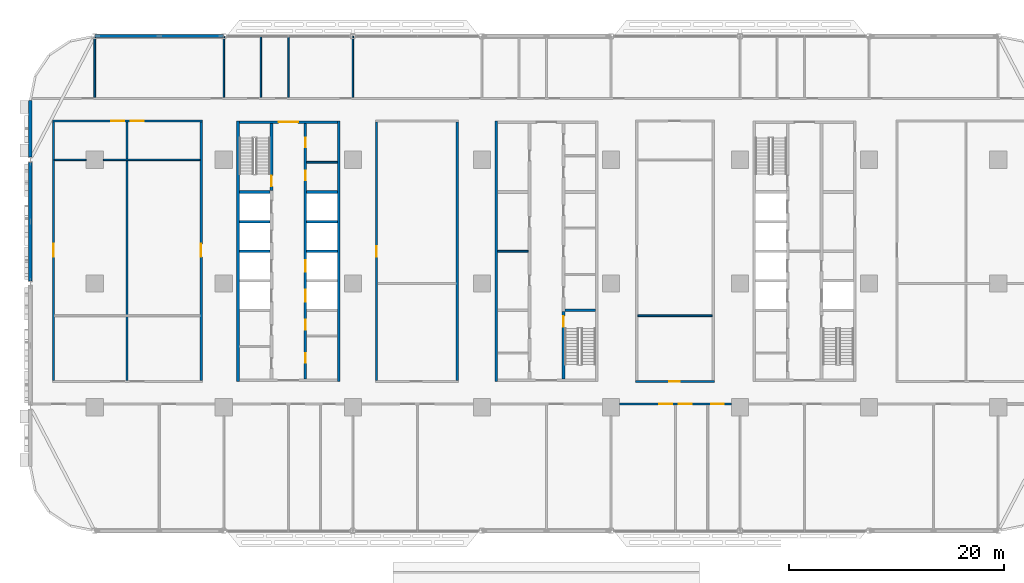
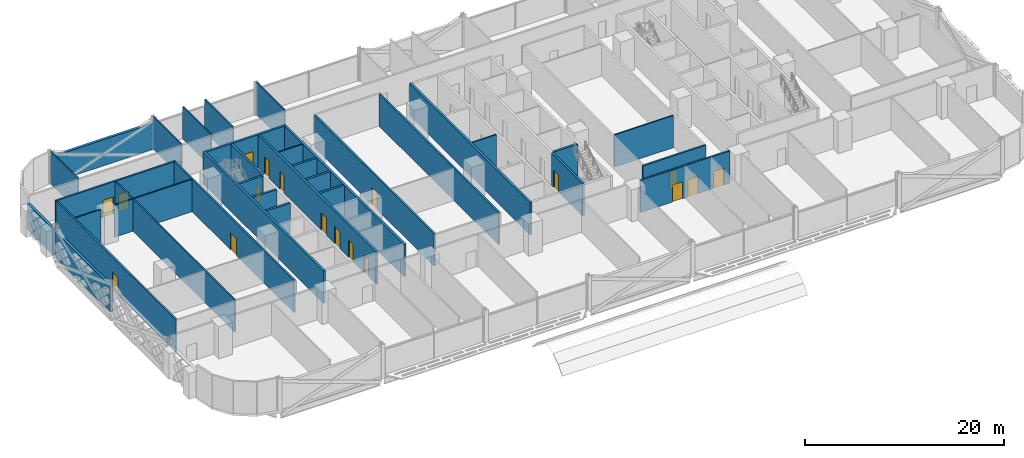
# One storey, part 10 of 26: 35 walls, 18 doors, 18 openings.
"""IFC4 building model written with IfcOpenShell, lengths in metres."""

from ifc_helpers import new_model, si_unit, direction, frame, frame_2d, origin, place, context, subcontext, project, spatial, rectangle, extrude, material, layer, layer_set, type_object, element, fill, save


model = new_model("IFC4")

# Units and contexts
model_context = context("Model", 3, precision=1e-05, world=origin(), true_north=direction((0.0, 1.0)))
body_context = subcontext(model_context, "Body", "Model", "MODEL_VIEW")
ifc_project = project(units=[si_unit("LENGTHUNIT", "METRE"), si_unit("AREAUNIT", "SQUARE_METRE"), si_unit("VOLUMEUNIT", "CUBIC_METRE"), si_unit("PLANEANGLEUNIT", "RADIAN"), si_unit("MASSUNIT", "GRAM", prefix="KILO")], contexts=[model_context])

# Site, building, storey
site_placement = place(None, origin())
site = spatial("IfcSite", under=ifc_project, at=site_placement, CompositionType="ELEMENT")
building_placement = place(site_placement, origin())
building = spatial("IfcBuilding", under=site, at=building_placement, Name="Mahtab Terrace Research Tower", CompositionType="ELEMENT")
storey_placement = place(building_placement, frame((0.0, 0.0, 15.800048828125)))
storey = spatial("IfcBuildingStorey", under=building, at=storey_placement, Name="L03", CompositionType="ELEMENT", Elevation=15.800048828125)

# Walls
ifc_material_1 = material(Name="Gypsum board partition")
ifc_layer_1 = layer(ifc_material_1, 0.14990234375)
ifc_layer_set_1 = layer_set([ifc_layer_1], Name="Core partition 150")
wall_type_1 = type_object("IfcWallType", Name="Core partition 150", PredefinedType="PARTITIONING", material=ifc_layer_set_1)
for number, where, z_axis, x_axis, name in (
    (1, (-22.300048828125, 11.27490234375, 0.0), (0.0, 0.0, 1.0), (1.0, 0.0, 0.0), "Core wall A pEN828"),
    (2, (-4.550048828125, 3.0, 0.0), (0.0, 0.0, 1.0), (1.0, 0.0, 0.0), "Core wall B pWL0"),
):
    element("IfcWall", number, at=place(storey_placement, frame(where, z_axis=z_axis, x_axis=x_axis)), inside=storey, type_object=wall_type_1, Name=name, PredefinedType="PARTITIONING", context=body_context, shape_type="SweptSolid", body=[
        extrude(rectangle(XDim=2.85009765625, YDim=0.14990234375, at=frame_2d((1.425048828125, 0.0))), origin(), (0.0, 0.0, 1.0), 3.9599609375),
    ])
ifc_material_2 = material(Name="Concrete C70/85", Category="concrete")
ifc_layer_2 = layer(ifc_material_2, 0.25)
ifc_layer_set_2 = layer_set([ifc_layer_2], Name="Core wall 250")
wall_type_2 = type_object("IfcWallType", Name="Core wall 250", PredefinedType="SOLIDWALL", material=ifc_layer_set_2)
for number, where, z_axis, x_axis, name in (
    (3, (-28.675048828125, 15.125, 0.0), (0.0, 0.0, 1.0), (0.0, -1.0, 0.0), "Core wall A outerW"),
    (4, (-19.324951171875, -9.125, 0.0), (0.0, 0.0, 1.0), (0.0, 1.0, 0.0), "Core wall A outerE"),
):
    element("IfcWall", number, at=place(storey_placement, frame(where, z_axis=z_axis, x_axis=x_axis)), inside=storey, type_object=wall_type_2, Name=name, PredefinedType="SOLIDWALL", context=body_context, shape_type="SweptSolid", body=[
        extrude(rectangle(XDim=24.25, YDim=0.25, at=frame_2d((12.125, 0.0))), origin(), (0.0, 0.0, 1.0), 3.9599609375),
    ])

# Wall, opening, door
wall_1_placement = place(storey_placement, frame((-28.550048828125, 15.0, 0.0), z_axis=(0.0, 0.0, 1.0), x_axis=(1.0, 0.0, 0.0)))
wall_1 = element("IfcWall", 5, at=wall_1_placement, inside=storey, type_object=wall_type_2, Name="Core wall A endN", PredefinedType="SOLIDWALL", context=body_context, shape_type="SweptSolid", body=[
    extrude(rectangle(XDim=9.10009765625, YDim=0.25, at=frame_2d((4.550048828125, 0.0))), origin(), (0.0, 0.0, 1.0), 3.9599609375),
])
opening_1_placement = place(wall_1_placement, frame((3.64990234375, 0.0, 0.0)))
opening_1 = element("IfcOpeningElement", 6, at=opening_1_placement, cuts=wall_1, Name="Opening A-N1", PredefinedType="OPENING", context=body_context, shape_type="SweptSolid", body=[
    extrude(rectangle(XDim=1.800048828125, YDim=2.10009765625, at=frame_2d((0.89990234375, 1.050048828125))), frame((0.0, 0.135009765625, 0.0), z_axis=(0.0, -1.0, 0.0), x_axis=(1.0, 0.0, 0.0)), (0.0, 0.0, 1.0), 0.27001953125),
])
ifc_material_3 = material(Name="Steel fire door", Category="steel")
door_type_1 = type_object("IfcDoorType", Name="Lobby double door 1800x2100 1 HR", OperationType="DOUBLE_DOOR_SINGLE_SWING", PredefinedType="DOOR", material=ifc_material_3)
door_1_placement = place(opening_1_placement, origin())
door_1 = element("IfcDoor", 7, at=door_1_placement, inside=storey, type_object=door_type_1, Name="Core entrance door A N", OperationType="DOUBLE_DOOR_SINGLE_SWING", OverallHeight=2.10009765625, OverallWidth=1.800048828125, PredefinedType="DOOR", context=body_context, shape_type="SweptSolid", body=[
    extrude(rectangle(XDim=1.800048828125, YDim=2.10009765625, at=frame_2d((0.89990234375, 1.050048828125))), frame((0.0, 0.02490234375, 0.0), z_axis=(0.0, -1.0, 0.0), x_axis=(1.0, 0.0, 0.0)), (0.0, 0.0, 1.0), 0.050048828125),
])
fill(opening_1, door_1)

wall_2_placement = place(storey_placement, frame((-25.574951171875, 14.875, 0.0), z_axis=(0.0, 0.0, 1.0), x_axis=(0.0, -1.0, 0.0)))
wall_2 = element("IfcWall", 8, at=wall_2_placement, inside=storey, type_object=wall_type_2, Name="Core wall A innerWN", PredefinedType="SOLIDWALL", context=body_context, shape_type="SweptSolid", body=[
    extrude(rectangle(XDim=6.25, YDim=0.25, at=frame_2d((3.125, 0.0))), origin(), (0.0, 0.0, 1.0), 3.9599609375),
])
opening_2_placement = place(wall_2_placement, frame((4.85009765625, 0.0, 0.0)))
opening_2 = element("IfcOpeningElement", 9, at=opening_2_placement, cuts=wall_2, Name="Opening A-ST1", PredefinedType="OPENING", context=body_context, shape_type="SweptSolid", body=[
    extrude(rectangle(XDim=1.0, YDim=2.10009765625, at=frame_2d((0.5, 1.050048828125))), frame((0.0, 0.135009765625, 0.0), z_axis=(0.0, -1.0, 0.0), x_axis=(1.0, 0.0, 0.0)), (0.0, 0.0, 1.0), 0.27001953125),
])
door_type_2 = type_object("IfcDoorType", Name="Stair door 1000x2100 1.5 HR", OperationType="NOTDEFINED", PredefinedType="DOOR", material=ifc_material_3)
door_2_placement = place(opening_2_placement, origin())
door_2 = element("IfcDoor", 10, at=door_2_placement, inside=storey, type_object=door_type_2, Name="Stair door ST1 L03", OperationType="SINGLE_SWING_LEFT", OverallHeight=2.10009765625, OverallWidth=1.0, PredefinedType="DOOR", context=body_context, shape_type="SweptSolid", body=[
    extrude(rectangle(XDim=1.0, YDim=2.10009765625, at=frame_2d((0.5, 1.050048828125))), frame((0.0, 0.02490234375, 0.0), z_axis=(0.0, -1.0, 0.0), x_axis=(1.0, 0.0, 0.0)), (0.0, 0.0, 1.0), 0.050048828125),
])
fill(opening_2, door_2)

# Wall, openings, doors
wall_3_placement = place(storey_placement, frame((-22.425048828125, 14.875, 0.0), z_axis=(0.0, 0.0, 1.0), x_axis=(0.0, -1.0, 0.0)))
wall_3 = element("IfcWall", 11, at=wall_3_placement, inside=storey, type_object=wall_type_2, Name="Core wall A innerESLN", PredefinedType="SOLIDWALL", context=body_context, shape_type="SweptSolid", body=[
    extrude(rectangle(XDim=23.75, YDim=0.25, at=frame_2d((11.875, 0.0))), origin(), (0.0, 0.0, 1.0), 3.9599609375),
])
opening_3_placement = place(wall_3_placement, frame((15.449951171875, 0.0, 0.0)))
opening_3 = element("IfcOpeningElement", 12, at=opening_3_placement, cuts=wall_3, Name="Opening LD05-L03", PredefinedType="OPENING", context=body_context, shape_type="SweptSolid", body=[
    extrude(rectangle(XDim=1.10009765625, YDim=2.10009765625, at=frame_2d((0.550048828125, 1.050048828125))), frame((0.0, 0.135009765625, 0.0), z_axis=(0.0, -1.0, 0.0), x_axis=(1.0, 0.0, 0.0)), (0.0, 0.0, 1.0), 0.27001953125),
])
opening_4_placement = place(wall_3_placement, frame((12.699951171875, 0.0, 0.0)))
opening_4 = element("IfcOpeningElement", 13, at=opening_4_placement, cuts=wall_3, Name="Opening LD06-L03", PredefinedType="OPENING", context=body_context, shape_type="SweptSolid", body=[
    extrude(rectangle(XDim=1.10009765625, YDim=2.10009765625, at=frame_2d((0.550048828125, 1.050048828125))), frame((0.0, 0.135009765625, 0.0), z_axis=(0.0, -1.0, 0.0), x_axis=(1.0, 0.0, 0.0)), (0.0, 0.0, 1.0), 0.27001953125),
])
opening_5_placement = place(wall_3_placement, frame((21.33740234375, 0.0, 0.0)))
opening_5 = element("IfcOpeningElement", 14, at=opening_5_placement, cuts=wall_3, Name="Opening A-R3", PredefinedType="OPENING", context=body_context, shape_type="SweptSolid", body=[
    extrude(rectangle(XDim=0.89990234375, YDim=2.10009765625, at=frame_2d((0.449951171875, 1.050048828125))), frame((0.0, 0.135009765625, 0.0), z_axis=(0.0, -1.0, 0.0), x_axis=(1.0, 0.0, 0.0)), (0.0, 0.0, 1.0), 0.27001953125),
])
opening_6_placement = place(wall_3_placement, frame((18.262451171875, 0.0, 0.0)))
opening_6 = element("IfcOpeningElement", 15, at=opening_6_placement, cuts=wall_3, Name="Opening A-R4", PredefinedType="OPENING", context=body_context, shape_type="SweptSolid", body=[
    extrude(rectangle(XDim=0.89990234375, YDim=2.10009765625, at=frame_2d((0.449951171875, 1.050048828125))), frame((0.0, 0.135009765625, 0.0), z_axis=(0.0, -1.0, 0.0), x_axis=(1.0, 0.0, 0.0)), (0.0, 0.0, 1.0), 0.27001953125),
])
opening_7_placement = place(wall_3_placement, frame((4.387451171875, 0.0, 0.0)))
opening_7 = element("IfcOpeningElement", 16, at=opening_7_placement, cuts=wall_3, Name="Opening A-R5", PredefinedType="OPENING", context=body_context, shape_type="SweptSolid", body=[
    extrude(rectangle(XDim=0.89990234375, YDim=2.10009765625, at=frame_2d((0.449951171875, 1.050048828125))), frame((0.0, 0.135009765625, 0.0), z_axis=(0.0, -1.0, 0.0), x_axis=(1.0, 0.0, 0.0)), (0.0, 0.0, 1.0), 0.27001953125),
])
opening_8_placement = place(wall_3_placement, frame((1.3125, 0.0, 0.0)))
opening_8 = element("IfcOpeningElement", 17, at=opening_8_placement, cuts=wall_3, Name="Opening A-R6", PredefinedType="OPENING", context=body_context, shape_type="SweptSolid", body=[
    extrude(rectangle(XDim=0.89990234375, YDim=2.10009765625, at=frame_2d((0.449951171875, 1.050048828125))), frame((0.0, 0.135009765625, 0.0), z_axis=(0.0, -1.0, 0.0), x_axis=(1.0, 0.0, 0.0)), (0.0, 0.0, 1.0), 0.27001953125),
])
ifc_material_4 = material(Name="Stainless steel AISI 304", Category="steel")
door_type_3 = type_object("IfcDoorType", Name="Landing door 1100x2100", OperationType="DOUBLE_DOOR_SLIDING", PredefinedType="DOOR", material=ifc_material_4)
door_3_placement = place(opening_3_placement, origin())
door_3 = element("IfcDoor", 18, at=door_3_placement, inside=storey, type_object=door_type_3, Name="Landing door LR5 L03", OperationType="DOUBLE_DOOR_SLIDING", OverallHeight=2.10009765625, OverallWidth=1.10009765625, PredefinedType="DOOR", context=body_context, shape_type="SweptSolid", body=[
    extrude(rectangle(XDim=1.10009765625, YDim=2.10009765625, at=frame_2d((0.550048828125, 1.050048828125))), frame((0.0, 0.02490234375, 0.0), z_axis=(0.0, -1.0, 0.0), x_axis=(1.0, 0.0, 0.0)), (0.0, 0.0, 1.0), 0.050048828125),
])
fill(opening_3, door_3)
door_4_placement = place(opening_4_placement, origin())
door_4 = element("IfcDoor", 19, at=door_4_placement, inside=storey, type_object=door_type_3, Name="Landing door LR6 L03", OperationType="DOUBLE_DOOR_SLIDING", OverallHeight=2.10009765625, OverallWidth=1.10009765625, PredefinedType="DOOR", context=body_context, shape_type="SweptSolid", body=[
    extrude(rectangle(XDim=1.10009765625, YDim=2.10009765625, at=frame_2d((0.550048828125, 1.050048828125))), frame((0.0, 0.02490234375, 0.0), z_axis=(0.0, -1.0, 0.0), x_axis=(1.0, 0.0, 0.0)), (0.0, 0.0, 1.0), 0.050048828125),
])
fill(opening_4, door_4)
door_type_4 = type_object("IfcDoorType", Name="Room door 900x2100 1 HR", OperationType="NOTDEFINED", PredefinedType="DOOR", material=ifc_material_3)
door_5_placement = place(opening_5_placement, origin())
door_5 = element("IfcDoor", 20, at=door_5_placement, inside=storey, type_object=door_type_4, Name="IT equipment room door", OperationType="SINGLE_SWING_LEFT", OverallHeight=2.10009765625, OverallWidth=0.89990234375, PredefinedType="DOOR", context=body_context, shape_type="SweptSolid", body=[
    extrude(rectangle(XDim=0.89990234375, YDim=2.10009765625, at=frame_2d((0.449951171875, 1.050048828125))), frame((0.0, 0.02490234375, 0.0), z_axis=(0.0, -1.0, 0.0), x_axis=(1.0, 0.0, 0.0)), (0.0, 0.0, 1.0), 0.050048828125),
])
fill(opening_5, door_5)
door_6_placement = place(opening_6_placement, origin())
door_6 = element("IfcDoor", 21, at=door_6_placement, inside=storey, type_object=door_type_4, Name="Electrical riser room door", OperationType="SINGLE_SWING_RIGHT", OverallHeight=2.10009765625, OverallWidth=0.89990234375, PredefinedType="DOOR", context=body_context, shape_type="SweptSolid", body=[
    extrude(rectangle(XDim=0.89990234375, YDim=2.10009765625, at=frame_2d((0.449951171875, 1.050048828125))), frame((0.0, 0.02490234375, 0.0), z_axis=(0.0, -1.0, 0.0), x_axis=(1.0, 0.0, 0.0)), (0.0, 0.0, 1.0), 0.050048828125),
])
fill(opening_6, door_6)
door_7_placement = place(opening_7_placement, origin())
door_7 = element("IfcDoor", 22, at=door_7_placement, inside=storey, type_object=door_type_4, Name="Mechanical riser room door", OperationType="SINGLE_SWING_LEFT", OverallHeight=2.10009765625, OverallWidth=0.89990234375, PredefinedType="DOOR", context=body_context, shape_type="SweptSolid", body=[
    extrude(rectangle(XDim=0.89990234375, YDim=2.10009765625, at=frame_2d((0.449951171875, 1.050048828125))), frame((0.0, 0.02490234375, 0.0), z_axis=(0.0, -1.0, 0.0), x_axis=(1.0, 0.0, 0.0)), (0.0, 0.0, 1.0), 0.050048828125),
])
fill(opening_7, door_7)
door_8_placement = place(opening_8_placement, origin())
door_8 = element("IfcDoor", 23, at=door_8_placement, inside=storey, type_object=door_type_4, Name="Chemical store door", OperationType="SINGLE_SWING_RIGHT", OverallHeight=2.10009765625, OverallWidth=0.89990234375, PredefinedType="DOOR", context=body_context, shape_type="SweptSolid", body=[
    extrude(rectangle(XDim=0.89990234375, YDim=2.10009765625, at=frame_2d((0.449951171875, 1.050048828125))), frame((0.0, 0.02490234375, 0.0), z_axis=(0.0, -1.0, 0.0), x_axis=(1.0, 0.0, 0.0)), (0.0, 0.0, 1.0), 0.050048828125),
])
fill(opening_8, door_8)

# Walls
for number, where, z_axis, x_axis, name in (
    (24, (-28.550048828125, 3.0, 0.0), (0.0, 0.0, 1.0), (1.0, 0.0, 0.0), "Core wall A divW2"),
    (25, (-28.550048828125, 5.75, 0.0), (0.0, 0.0, 1.0), (1.0, 0.0, 0.0), "Core wall A divW3"),
    (26, (-28.550048828125, 8.5, 0.0), (0.0, 0.0, 1.0), (1.0, 0.0, 0.0), "Core wall A divW4"),
    (27, (-22.300048828125, 3.0, 0.0), (0.0, 0.0, 1.0), (1.0, 0.0, 0.0), "Core wall A divE2"),
    (28, (-22.300048828125, 5.75, 0.0), (0.0, 0.0, 1.0), (1.0, 0.0, 0.0), "Core wall A divE3"),
    (29, (-22.300048828125, 8.5, 0.0), (0.0, 0.0, 1.0), (1.0, 0.0, 0.0), "Core wall A divE4"),
):
    element("IfcWall", number, at=place(storey_placement, frame(where, z_axis=z_axis, x_axis=x_axis)), inside=storey, type_object=wall_type_2, Name=name, PredefinedType="SOLIDWALL", context=body_context, shape_type="SweptSolid", body=[
        extrude(rectangle(XDim=2.85009765625, YDim=0.25, at=frame_2d((1.425048828125, 0.0))), origin(), (0.0, 0.0, 1.0), 3.9599609375),
    ])
wall_4_placement = place(storey_placement, frame((-4.675048828125, 15.125, 0.0), z_axis=(0.0, 0.0, 1.0), x_axis=(0.0, -1.0, 0.0)))
element("IfcWall", 30, at=wall_4_placement, inside=storey, type_object=wall_type_2, Name="Core wall B outerW", PredefinedType="SOLIDWALL", context=body_context, shape_type="SweptSolid", body=[
    extrude(rectangle(XDim=24.25, YDim=0.25, at=frame_2d((12.125, 0.0))), origin(), (0.0, 0.0, 1.0), 3.9599609375),
])

# Wall, opening, door
wall_5_placement = place(storey_placement, frame((1.574951171875, -8.875, 0.0), z_axis=(0.0, 0.0, 1.0), x_axis=(0.0, 1.0, 0.0)))
wall_5 = element("IfcWall", 31, at=wall_5_placement, inside=storey, type_object=wall_type_2, Name="Core wall B innerES", PredefinedType="SOLIDWALL", context=body_context, shape_type="SweptSolid", body=[
    extrude(rectangle(XDim=6.25, YDim=0.25, at=frame_2d((3.125, 0.0))), origin(), (0.0, 0.0, 1.0), 3.9599609375),
])
opening_9_placement = place(wall_5_placement, frame((4.85009765625, 0.0, 0.0)))
opening_9 = element("IfcOpeningElement", 32, at=opening_9_placement, cuts=wall_5, Name="Opening B-ST2", PredefinedType="OPENING", context=body_context, shape_type="SweptSolid", body=[
    extrude(rectangle(XDim=1.0, YDim=2.10009765625, at=frame_2d((0.5, 1.050048828125))), frame((0.0, 0.135009765625, 0.0), z_axis=(0.0, -1.0, 0.0), x_axis=(1.0, 0.0, 0.0)), (0.0, 0.0, 1.0), 0.27001953125),
])
door_9_placement = place(opening_9_placement, origin())
door_9 = element("IfcDoor", 33, at=door_9_placement, inside=storey, type_object=door_type_2, Name="Stair door ST2 L03", OperationType="SINGLE_SWING_LEFT", OverallHeight=2.10009765625, OverallWidth=1.0, PredefinedType="DOOR", context=body_context, shape_type="SweptSolid", body=[
    extrude(rectangle(XDim=1.0, YDim=2.10009765625, at=frame_2d((0.5, 1.050048828125))), frame((0.0, 0.02490234375, 0.0), z_axis=(0.0, -1.0, 0.0), x_axis=(1.0, 0.0, 0.0)), (0.0, 0.0, 1.0), 0.050048828125),
])
fill(opening_9, door_9)

# Walls
wall_6_placement = place(storey_placement, frame((1.699951171875, -2.5, 0.0), z_axis=(0.0, 0.0, 1.0), x_axis=(1.0, 0.0, 0.0)))
element("IfcWall", 34, at=wall_6_placement, inside=storey, type_object=wall_type_2, Name="Core wall B divE0", PredefinedType="SOLIDWALL", context=body_context, shape_type="SweptSolid", body=[
    extrude(rectangle(XDim=2.85009765625, YDim=0.25, at=frame_2d((1.425048828125, 0.0))), origin(), (0.0, 0.0, 1.0), 3.9599609375),
])
ifc_material_5 = material(Name="Black aluminium cladding panel", Category="aluminium")
ifc_layer_3 = layer(ifc_material_5, 0.300048828125)
ifc_layer_set_3 = layer_set([ifc_layer_3], Name="Opaque facade wall 300")
wall_type_3 = type_object("IfcWallType", Name="Opaque facade wall 300", PredefinedType="NOTDEFINED", material=ifc_layer_set_3)
wall_7_placement = place(storey_placement, frame((-30.02783203125, 23.0, 0.0), z_axis=(0.0, 0.0, 1.0), x_axis=(-1.0, 0.0, 0.0)))
element("IfcWall", 35, at=wall_7_placement, inside=storey, type_object=wall_type_3, Name="Opaque facade wall L03 N9", PredefinedType="NOTDEFINED", context=body_context, shape_type="SweptSolid", body=[
    extrude(rectangle(XDim=11.9443359375, YDim=0.300048828125, at=frame_2d((5.97216796875, 0.0))), origin(), (0.0, 0.0, 1.0), 3.203125),
])
wall_8_placement = place(storey_placement, frame((-48.0, 17.0, 0.0), z_axis=(0.0, 0.0, 1.0), x_axis=(0.0, -1.0, 0.0)))
element("IfcWall", 36, at=wall_8_placement, inside=storey, type_object=wall_type_3, Name="Opaque facade wall L03 W14", PredefinedType="NOTDEFINED", context=body_context, shape_type="SweptSolid", body=[
    extrude(rectangle(XDim=5.2509765625, YDim=0.300048828125, at=frame_2d((2.62548828125, 0.0))), origin(), (0.0, 0.0, 1.0), 3.203125),
])
wall_9_placement = place(storey_placement, frame((-48.0, 11.2509765625, 0.0), z_axis=(0.0, 0.0, 1.0), x_axis=(0.0, -1.0, 0.0)))
element("IfcWall", 37, at=wall_9_placement, inside=storey, type_object=wall_type_3, Name="Opaque facade wall L03 W15", PredefinedType="NOTDEFINED", context=body_context, shape_type="SweptSolid", body=[
    extrude(rectangle(XDim=11.001953125, YDim=0.300048828125, at=frame_2d((5.5009765625, 0.0))), origin(), (0.0, 0.0, 1.0), 3.203125),
])

# Wall, openings, doors
ifc_material_6 = material(Name="Gypsum board corridor wall on steel studs", Category="steel")
ifc_layer_4 = layer(ifc_material_6, 0.199951171875)
ifc_layer_set_4 = layer_set([ifc_layer_4], Name="WALL CORRIDOR 200")
wall_type_4 = type_object("IfcWallType", Name="WALL CORRIDOR 200", PredefinedType="PARTITIONING", material=ifc_layer_set_4)
wall_10_placement = place(storey_placement, frame((6.800048828125, -11.199951171875, 0.0), z_axis=(0.0, 0.0, 1.0), x_axis=(1.0, 0.0, 0.0)))
wall_10 = element("IfcWall", 38, at=wall_10_placement, inside=storey, type_object=wall_type_4, Name="L03-W006", PredefinedType="PARTITIONING", context=body_context, shape_type="SweptSolid", body=[
    extrude(rectangle(XDim=10.39990234375, YDim=0.199951171875, at=frame_2d((5.199951171875, 0.0))), origin(), (0.0, 0.0, 1.0), 3.9599609375),
])
opening_10_placement = place(wall_10_placement, frame((3.699951171875, 0.0, 0.0)))
opening_10 = element("IfcOpeningElement", 39, at=opening_10_placement, cuts=wall_10, Name="Opening L03-109", PredefinedType="OPENING", context=body_context, shape_type="SweptSolid", body=[
    extrude(rectangle(XDim=1.199951171875, YDim=2.10009765625, at=frame_2d((0.60009765625, 1.050048828125))), frame((0.0, 0.10986328125, 0.0), z_axis=(0.0, -1.0, 0.0), x_axis=(1.0, 0.0, 0.0)), (0.0, 0.0, 1.0), 0.219970703125),
])
opening_11_placement = place(wall_10_placement, frame((5.5, 0.0, 0.0)))
opening_11 = element("IfcOpeningElement", 40, at=opening_11_placement, cuts=wall_10, Name="Opening L03-110", PredefinedType="OPENING", context=body_context, shape_type="SweptSolid", body=[
    extrude(rectangle(XDim=1.199951171875, YDim=2.10009765625, at=frame_2d((0.60009765625, 1.050048828125))), frame((0.0, 0.10986328125, 0.0), z_axis=(0.0, -1.0, 0.0), x_axis=(1.0, 0.0, 0.0)), (0.0, 0.0, 1.0), 0.219970703125),
])
opening_12_placement = place(wall_10_placement, frame((8.5, 0.0, 0.0)))
opening_12 = element("IfcOpeningElement", 41, at=opening_12_placement, cuts=wall_10, Name="Opening L03-111", PredefinedType="OPENING", context=body_context, shape_type="SweptSolid", body=[
    extrude(rectangle(XDim=1.199951171875, YDim=2.10009765625, at=frame_2d((0.60009765625, 1.050048828125))), frame((0.0, 0.10986328125, 0.0), z_axis=(0.0, -1.0, 0.0), x_axis=(1.0, 0.0, 0.0)), (0.0, 0.0, 1.0), 0.219970703125),
])
ifc_material_7 = material(Name="Timber door leaf in steel frame", Category="steel")
door_type_5 = type_object("IfcDoorType", Name="DOOR 1200X2100 FD30S", OperationType="SINGLE_SWING_LEFT", PredefinedType="DOOR", material=ifc_material_7)
door_10_placement = place(opening_10_placement, origin())
door_10 = element("IfcDoor", 42, at=door_10_placement, inside=storey, type_object=door_type_5, Name="Door L03-109", OperationType="SINGLE_SWING_RIGHT", OverallHeight=2.10009765625, OverallWidth=1.199951171875, PredefinedType="DOOR", context=body_context, shape_type="SweptSolid", body=[
    extrude(rectangle(XDim=1.199951171875, YDim=2.10009765625, at=frame_2d((0.60009765625, 1.050048828125))), frame((0.0, 0.02490234375, 0.0), z_axis=(0.0, -1.0, 0.0), x_axis=(1.0, 0.0, 0.0)), (0.0, 0.0, 1.0), 0.050048828125),
])
fill(opening_10, door_10)
door_11_placement = place(opening_11_placement, origin())
door_11 = element("IfcDoor", 43, at=door_11_placement, inside=storey, type_object=door_type_5, Name="Door L03-110", OperationType="SINGLE_SWING_LEFT", OverallHeight=2.10009765625, OverallWidth=1.199951171875, PredefinedType="DOOR", context=body_context, shape_type="SweptSolid", body=[
    extrude(rectangle(XDim=1.199951171875, YDim=2.10009765625, at=frame_2d((0.60009765625, 1.050048828125))), frame((0.0, 0.02490234375, 0.0), z_axis=(0.0, -1.0, 0.0), x_axis=(1.0, 0.0, 0.0)), (0.0, 0.0, 1.0), 0.050048828125),
])
fill(opening_11, door_11)
door_12_placement = place(opening_12_placement, origin())
door_12 = element("IfcDoor", 44, at=door_12_placement, inside=storey, type_object=door_type_5, Name="Door L03-111", OperationType="SINGLE_SWING_LEFT", OverallHeight=2.10009765625, OverallWidth=1.199951171875, PredefinedType="DOOR", context=body_context, shape_type="SweptSolid", body=[
    extrude(rectangle(XDim=1.199951171875, YDim=2.10009765625, at=frame_2d((0.60009765625, 1.050048828125))), frame((0.0, 0.02490234375, 0.0), z_axis=(0.0, -1.0, 0.0), x_axis=(1.0, 0.0, 0.0)), (0.0, 0.0, 1.0), 0.050048828125),
])
fill(opening_12, door_12)

# Wall, opening, door
wall_11_placement = place(storey_placement, frame((8.300048828125, -9.125, 0.0), z_axis=(0.0, 0.0, 1.0), x_axis=(1.0, 0.0, 0.0)))
wall_11 = element("IfcWall", 45, at=wall_11_placement, inside=storey, type_object=wall_type_4, Name="L03-W012", PredefinedType="PARTITIONING", context=body_context, shape_type="SweptSolid", body=[
    extrude(rectangle(XDim=7.300048828125, YDim=0.199951171875, at=frame_2d((3.64990234375, 0.0))), origin(), (0.0, 0.0, 1.0), 3.9599609375),
])
opening_13_placement = place(wall_11_placement, frame((3.10009765625, 0.0, 0.0)))
opening_13 = element("IfcOpeningElement", 46, at=opening_13_placement, cuts=wall_11, Name="Opening L03-118", PredefinedType="OPENING", context=body_context, shape_type="SweptSolid", body=[
    extrude(rectangle(XDim=1.0, YDim=2.10009765625, at=frame_2d((0.5, 1.050048828125))), frame((0.0, 0.10986328125, 0.0), z_axis=(0.0, -1.0, 0.0), x_axis=(1.0, 0.0, 0.0)), (0.0, 0.0, 1.0), 0.219970703125),
])
door_type_6 = type_object("IfcDoorType", Name="DOOR 1000X2100 FD30S", OperationType="SINGLE_SWING_LEFT", PredefinedType="DOOR", material=ifc_material_7)
door_13_placement = place(opening_13_placement, origin())
door_13 = element("IfcDoor", 47, at=door_13_placement, inside=storey, type_object=door_type_6, Name="Door L03-118", OperationType="SINGLE_SWING_LEFT", OverallHeight=2.10009765625, OverallWidth=1.0, PredefinedType="DOOR", context=body_context, shape_type="SweptSolid", body=[
    extrude(rectangle(XDim=1.0, YDim=2.10009765625, at=frame_2d((0.5, 1.050048828125))), frame((0.0, 0.02490234375, 0.0), z_axis=(0.0, -1.0, 0.0), x_axis=(1.0, 0.0, 0.0)), (0.0, 0.0, 1.0), 0.050048828125),
])
fill(opening_13, door_13)

# Wall, openings, doors
wall_12_placement = place(storey_placement, frame((-45.949951171875, 15.125, 0.0), z_axis=(0.0, 0.0, 1.0), x_axis=(1.0, 0.0, 0.0)))
wall_12 = element("IfcWall", 48, at=wall_12_placement, inside=storey, type_object=wall_type_4, Name="L03-W022", PredefinedType="PARTITIONING", context=body_context, shape_type="SweptSolid", body=[
    extrude(rectangle(XDim=13.949951171875, YDim=0.199951171875, at=frame_2d((6.97509765625, 0.0))), origin(), (0.0, 0.0, 1.0), 3.9599609375),
])
opening_14_placement = place(wall_12_placement, frame((5.5, 0.0, 0.0)))
opening_14 = element("IfcOpeningElement", 49, at=opening_14_placement, cuts=wall_12, Name="Opening L03-128", PredefinedType="OPENING", context=body_context, shape_type="SweptSolid", body=[
    extrude(rectangle(XDim=1.199951171875, YDim=2.10009765625, at=frame_2d((0.60009765625, 1.050048828125))), frame((0.0, 0.10986328125, 0.0), z_axis=(0.0, -1.0, 0.0), x_axis=(1.0, 0.0, 0.0)), (0.0, 0.0, 1.0), 0.219970703125),
])
opening_15_placement = place(wall_12_placement, frame((7.300048828125, 0.0, 0.0)))
opening_15 = element("IfcOpeningElement", 50, at=opening_15_placement, cuts=wall_12, Name="Opening L03-129", PredefinedType="OPENING", context=body_context, shape_type="SweptSolid", body=[
    extrude(rectangle(XDim=1.199951171875, YDim=2.10009765625, at=frame_2d((0.60009765625, 1.050048828125))), frame((0.0, 0.10986328125, 0.0), z_axis=(0.0, -1.0, 0.0), x_axis=(1.0, 0.0, 0.0)), (0.0, 0.0, 1.0), 0.219970703125),
])
door_14_placement = place(opening_14_placement, origin())
door_14 = element("IfcDoor", 51, at=door_14_placement, inside=storey, type_object=door_type_5, Name="Door L03-128", OperationType="SINGLE_SWING_RIGHT", OverallHeight=2.10009765625, OverallWidth=1.199951171875, PredefinedType="DOOR", context=body_context, shape_type="SweptSolid", body=[
    extrude(rectangle(XDim=1.199951171875, YDim=2.10009765625, at=frame_2d((0.60009765625, 1.050048828125))), frame((0.0, 0.02490234375, 0.0), z_axis=(0.0, -1.0, 0.0), x_axis=(1.0, 0.0, 0.0)), (0.0, 0.0, 1.0), 0.050048828125),
])
fill(opening_14, door_14)
door_15_placement = place(opening_15_placement, origin())
door_15 = element("IfcDoor", 52, at=door_15_placement, inside=storey, type_object=door_type_5, Name="Door L03-129", OperationType="SINGLE_SWING_LEFT", OverallHeight=2.10009765625, OverallWidth=1.199951171875, PredefinedType="DOOR", context=body_context, shape_type="SweptSolid", body=[
    extrude(rectangle(XDim=1.199951171875, YDim=2.10009765625, at=frame_2d((0.60009765625, 1.050048828125))), frame((0.0, 0.02490234375, 0.0), z_axis=(0.0, -1.0, 0.0), x_axis=(1.0, 0.0, 0.0)), (0.0, 0.0, 1.0), 0.050048828125),
])
fill(opening_15, door_15)

# Wall, opening, door
wall_13_placement = place(storey_placement, frame((-45.85009765625, -9.02490234375, 0.0), z_axis=(0.0, 0.0, 1.0), x_axis=(0.0, 1.0, 0.0)))
wall_13 = element("IfcWall", 53, at=wall_13_placement, inside=storey, type_object=wall_type_4, Name="L03-W027", PredefinedType="PARTITIONING", context=body_context, shape_type="SweptSolid", body=[
    extrude(rectangle(XDim=24.0498046875, YDim=0.199951171875, at=frame_2d((12.02490234375, 0.0))), origin(), (0.0, 0.0, 1.0), 3.9599609375),
])
opening_16_placement = place(wall_13_placement, frame((11.5, 0.0, 0.0)))
opening_16 = element("IfcOpeningElement", 54, at=opening_16_placement, cuts=wall_13, Name="Opening L03-122", PredefinedType="OPENING", context=body_context, shape_type="SweptSolid", body=[
    extrude(rectangle(XDim=1.199951171875, YDim=2.10009765625, at=frame_2d((0.60009765625, 1.050048828125))), frame((0.0, 0.10986328125, 0.0), z_axis=(0.0, -1.0, 0.0), x_axis=(1.0, 0.0, 0.0)), (0.0, 0.0, 1.0), 0.219970703125),
])
door_16_placement = place(opening_16_placement, origin())
door_16 = element("IfcDoor", 55, at=door_16_placement, inside=storey, type_object=door_type_5, Name="Door L03-122", OperationType="SINGLE_SWING_LEFT", OverallHeight=2.10009765625, OverallWidth=1.199951171875, PredefinedType="DOOR", context=body_context, shape_type="SweptSolid", body=[
    extrude(rectangle(XDim=1.199951171875, YDim=2.10009765625, at=frame_2d((0.60009765625, 1.050048828125))), frame((0.0, 0.02490234375, 0.0), z_axis=(0.0, -1.0, 0.0), x_axis=(1.0, 0.0, 0.0)), (0.0, 0.0, 1.0), 0.050048828125),
])
fill(opening_16, door_16)

wall_14_placement = place(storey_placement, frame((-32.10009765625, -9.02490234375, 0.0), z_axis=(0.0, 0.0, 1.0), x_axis=(0.0, 1.0, 0.0)))
wall_14 = element("IfcWall", 56, at=wall_14_placement, inside=storey, type_object=wall_type_4, Name="L03-W031", PredefinedType="PARTITIONING", context=body_context, shape_type="SweptSolid", body=[
    extrude(rectangle(XDim=24.0498046875, YDim=0.199951171875, at=frame_2d((12.02490234375, 0.0))), origin(), (0.0, 0.0, 1.0), 3.9599609375),
])
opening_17_placement = place(wall_14_placement, frame((11.5, 0.0, 0.0)))
opening_17 = element("IfcOpeningElement", 57, at=opening_17_placement, cuts=wall_14, Name="Opening L03-123", PredefinedType="OPENING", context=body_context, shape_type="SweptSolid", body=[
    extrude(rectangle(XDim=1.199951171875, YDim=2.10009765625, at=frame_2d((0.60009765625, 1.050048828125))), frame((0.0, 0.10986328125, 0.0), z_axis=(0.0, -1.0, 0.0), x_axis=(1.0, 0.0, 0.0)), (0.0, 0.0, 1.0), 0.219970703125),
])
door_17_placement = place(opening_17_placement, origin())
door_17 = element("IfcDoor", 58, at=door_17_placement, inside=storey, type_object=door_type_5, Name="Door L03-123", OperationType="SINGLE_SWING_RIGHT", OverallHeight=2.10009765625, OverallWidth=1.199951171875, PredefinedType="DOOR", context=body_context, shape_type="SweptSolid", body=[
    extrude(rectangle(XDim=1.199951171875, YDim=2.10009765625, at=frame_2d((0.60009765625, 1.050048828125))), frame((0.0, 0.02490234375, 0.0), z_axis=(0.0, -1.0, 0.0), x_axis=(1.0, 0.0, 0.0)), (0.0, 0.0, 1.0), 0.050048828125),
])
fill(opening_17, door_17)

wall_15_placement = place(storey_placement, frame((-15.800048828125, -9.02490234375, 0.0), z_axis=(0.0, 0.0, 1.0), x_axis=(0.0, 1.0, 0.0)))
wall_15 = element("IfcWall", 59, at=wall_15_placement, inside=storey, type_object=wall_type_4, Name="L03-W040", PredefinedType="PARTITIONING", context=body_context, shape_type="SweptSolid", body=[
    extrude(rectangle(XDim=24.0498046875, YDim=0.199951171875, at=frame_2d((12.02490234375, 0.0))), origin(), (0.0, 0.0, 1.0), 3.9599609375),
])
opening_18_placement = place(wall_15_placement, frame((11.5, 0.0, 0.0)))
opening_18 = element("IfcOpeningElement", 60, at=opening_18_placement, cuts=wall_15, Name="Opening L03-125", PredefinedType="OPENING", context=body_context, shape_type="SweptSolid", body=[
    extrude(rectangle(XDim=1.0, YDim=2.10009765625, at=frame_2d((0.5, 1.050048828125))), frame((0.0, 0.10986328125, 0.0), z_axis=(0.0, -1.0, 0.0), x_axis=(1.0, 0.0, 0.0)), (0.0, 0.0, 1.0), 0.219970703125),
])
door_18_placement = place(opening_18_placement, origin())
door_18 = element("IfcDoor", 61, at=door_18_placement, inside=storey, type_object=door_type_6, Name="Door L03-125", OperationType="SINGLE_SWING_RIGHT", OverallHeight=2.10009765625, OverallWidth=1.0, PredefinedType="DOOR", context=body_context, shape_type="SweptSolid", body=[
    extrude(rectangle(XDim=1.0, YDim=2.10009765625, at=frame_2d((0.5, 1.050048828125))), frame((0.0, 0.02490234375, 0.0), z_axis=(0.0, -1.0, 0.0), x_axis=(1.0, 0.0, 0.0)), (0.0, 0.0, 1.0), 0.050048828125),
])
fill(opening_18, door_18)

# Walls
wall_16_placement = place(storey_placement, frame((-8.300048828125, -9.02490234375, 0.0), z_axis=(0.0, 0.0, 1.0), x_axis=(0.0, 1.0, 0.0)))
element("IfcWall", 62, at=wall_16_placement, inside=storey, type_object=wall_type_4, Name="L03-W042", PredefinedType="PARTITIONING", context=body_context, shape_type="SweptSolid", body=[
    extrude(rectangle(XDim=24.0498046875, YDim=0.199951171875, at=frame_2d((12.02490234375, 0.0))), origin(), (0.0, 0.0, 1.0), 3.9599609375),
])
ifc_material_8 = material(Name="Gypsum board partition on steel studs", Category="steel")
ifc_layer_5 = layer(ifc_material_8, 0.14990234375)
ifc_layer_set_5 = layer_set([ifc_layer_5], Name="WALL PARTITION 150")
wall_type_5 = type_object("IfcWallType", Name="WALL PARTITION 150", PredefinedType="PARTITIONING", material=ifc_layer_set_5)
wall_17_placement = place(storey_placement, frame((8.5, -3.0, 0.0), z_axis=(0.0, 0.0, 1.0), x_axis=(1.0, 0.0, 0.0)))
element("IfcWall", 63, at=wall_17_placement, inside=storey, type_object=wall_type_5, Name="L03-W015", PredefinedType="PARTITIONING", context=body_context, shape_type="SweptSolid", body=[
    extrude(rectangle(XDim=6.89990234375, YDim=0.14990234375, at=frame_2d((3.449951171875, 0.0))), origin(), (0.0, 0.0, 1.0), 3.9599609375),
])
wall_18_placement = place(storey_placement, frame((-45.75, 11.5, 0.0), z_axis=(0.0, 0.0, 1.0), x_axis=(1.0, 0.0, 0.0)))
element("IfcWall", 64, at=wall_18_placement, inside=storey, type_object=wall_type_5, Name="L03-W019", PredefinedType="PARTITIONING", context=body_context, shape_type="SweptSolid", body=[
    extrude(rectangle(XDim=2.949951171875, YDim=0.14990234375, at=frame_2d((1.47509765625, 0.0))), origin(), (0.0, 0.0, 1.0), 3.9599609375),
])
wall_19_placement = place(storey_placement, frame((-41.199951171875, 11.5, 0.0), z_axis=(0.0, 0.0, 1.0), x_axis=(1.0, 0.0, 0.0)))
element("IfcWall", 65, at=wall_19_placement, inside=storey, type_object=wall_type_5, Name="L03-W020", PredefinedType="PARTITIONING", context=body_context, shape_type="SweptSolid", body=[
    extrude(rectangle(XDim=9.0, YDim=0.14990234375, at=frame_2d((4.5, 0.0))), origin(), (0.0, 0.0, 1.0), 3.9599609375),
])
wall_20_placement = place(storey_placement, frame((-42.0, 17.300048828125, 0.0), z_axis=(0.0, 0.0, 1.0), x_axis=(0.0, 1.0, 0.0)))
element("IfcWall", 66, at=wall_20_placement, inside=storey, type_object=wall_type_5, Name="L03-W028", PredefinedType="PARTITIONING", context=body_context, shape_type="SweptSolid", body=[
    extrude(rectangle(XDim=5.547119140625, YDim=0.14990234375, at=frame_2d((2.7734375, 0.0))), origin(), (0.0, 0.0, 1.0), 3.9599609375),
])
wall_21_placement = place(storey_placement, frame((-39.0, -9.02490234375, 0.0), z_axis=(0.0, 0.0, 1.0), x_axis=(0.0, 1.0, 0.0)))
element("IfcWall", 67, at=wall_21_placement, inside=storey, type_object=wall_type_5, Name="L03-W029", PredefinedType="PARTITIONING", context=body_context, shape_type="SweptSolid", body=[
    extrude(rectangle(XDim=24.0498046875, YDim=0.14990234375, at=frame_2d((12.02490234375, 0.0))), origin(), (0.0, 0.0, 1.0), 3.9599609375),
])
for number, where, z_axis, x_axis, name in (
    (68, (-30.0, 17.300048828125, 0.0), (0.0, 0.0, 1.0), (0.0, 1.0, 0.0), "L03-W033"),
    (69, (-26.550048828125, 17.300048828125, 0.0), (0.0, 0.0, 1.0), (0.0, 1.0, 0.0), "L03-W034"),
    (70, (-24.0, 17.300048828125, 0.0), (0.0, 0.0, 1.0), (0.0, 1.0, 0.0), "L03-W036"),
    (71, (-18.0, 17.300048828125, 0.0), (0.0, 0.0, 1.0), (0.0, 1.0, 0.0), "L03-W039"),
):
    element("IfcWall", number, at=place(storey_placement, frame(where, z_axis=z_axis, x_axis=x_axis)), inside=storey, type_object=wall_type_5, Name=name, PredefinedType="PARTITIONING", context=body_context, shape_type="SweptSolid", body=[
        extrude(rectangle(XDim=5.675048828125, YDim=0.14990234375, at=frame_2d((2.83740234375, 0.0))), origin(), (0.0, 0.0, 1.0), 3.9599609375),
    ])

save(model, "model.ifc")
